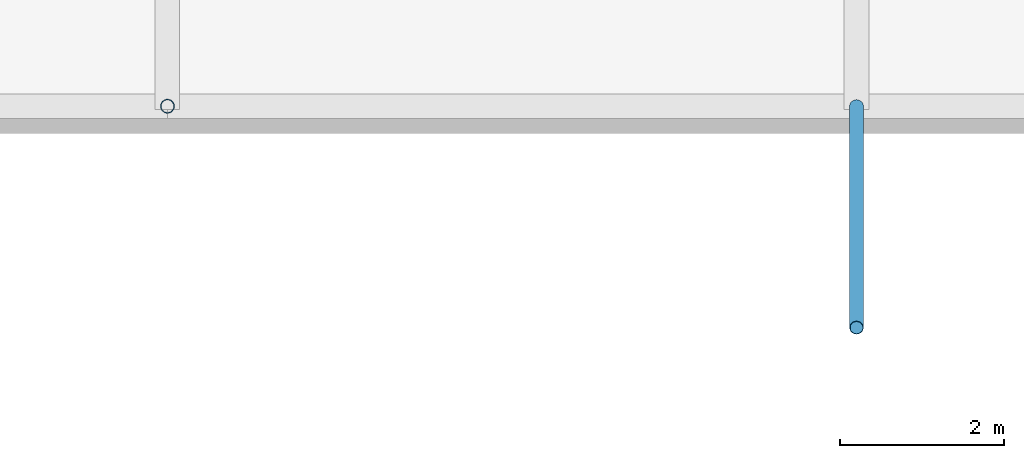
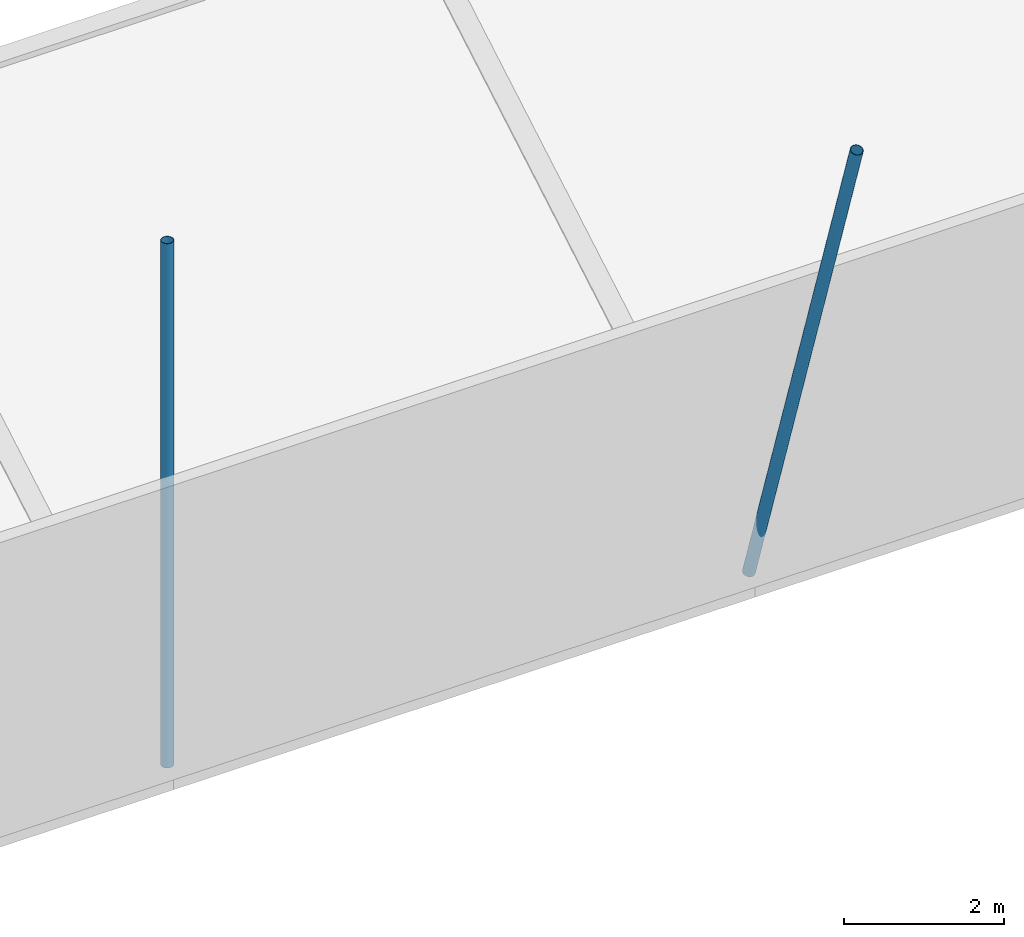
# One storey, part 47 of 111: 2 discrete accessories.
"""IFC4 building model written with IfcOpenShell, lengths in metres."""

from ifc_helpers import new_model, si_unit, direction, frame, origin, origin_2d, place, context, subcontext, project, spatial, hollow_circle, extrude, material, material_profile, profile_set, type_object, element, save


model = new_model("IFC4")

# Units and contexts
model_context = context("Model", 3, precision=1e-05, world=origin(), true_north=direction((0.0, 1.0)))
body_context = subcontext(model_context, "Body", "Model", "MODEL_VIEW")
ifc_project = project(units=[si_unit("LENGTHUNIT", "METRE"), si_unit("AREAUNIT", "SQUARE_METRE"), si_unit("VOLUMEUNIT", "CUBIC_METRE"), si_unit("PLANEANGLEUNIT", "RADIAN"), si_unit("MASSUNIT", "GRAM", prefix="KILO")], contexts=[model_context])

# Site, building, storey
site_placement = place(None, origin())
site = spatial("IfcSite", under=ifc_project, at=site_placement, CompositionType="ELEMENT")
building_placement = place(site_placement, origin())
building = spatial("IfcBuilding", under=site, at=building_placement, Name="Rain Tree Exposition and Congress Centre", CompositionType="ELEMENT")
storey_placement = place(building_placement, frame((0.0, 0.0, 19.5)))
storey = spatial("IfcBuildingStorey", under=building, at=storey_placement, Name="RF", CompositionType="ELEMENT", Elevation=19.5)

# Discrete accessories
ifc_material = material(Name="Steel S355J2H", Category="steel")
ifc_material_profile = material_profile(ifc_material, hollow_circle(Radius=0.084228515625, WallThickness=0.006103515625, at=origin_2d()), Name="CHS 168x6")
ifc_profile_set = profile_set([ifc_material_profile], Name="Steel S355J2H")
discrete_accessory_type = type_object("IfcDiscreteAccessoryType", Name="Roof skin post CHS 168x6", PredefinedType="BRACKET", material=ifc_profile_set)
discrete_accessory_1_placement = place(storey_placement, frame((193.199951171875, 100.800048828125, 0.5), z_axis=(0.0, 0.0, 1.0), x_axis=(1.0, 0.0, 0.0)))
element("IfcDiscreteAccessory", 1, at=discrete_accessory_1_placement, inside=storey, type_object=discrete_accessory_type, Name="Roof skin post B7", PredefinedType="BRACKET", context=body_context, shape_type="SweptSolid", body=[
    extrude(hollow_circle(Radius=0.084228515625, WallThickness=0.006103515625, at=origin_2d()), origin(), (0.0, 0.0, 1.0), 8.006103515625),
])
discrete_accessory_2_placement = place(storey_placement, frame((201.60009765625, 100.800048828125, 0.5), z_axis=(0.0, -0.317018841506, 0.948419239646), x_axis=(1.0, 0.0, 0.0)))
element("IfcDiscreteAccessory", 2, at=discrete_accessory_2_placement, inside=storey, type_object=discrete_accessory_type, Name="Roof skin post B8", PredefinedType="BRACKET", context=body_context, shape_type="SweptSolid", body=[
    extrude(hollow_circle(Radius=0.084228515625, WallThickness=0.006103515625, at=origin_2d()), origin(), (0.0, 0.0, 1.0), 8.5166015625),
])

save(model, "model.ifc")
